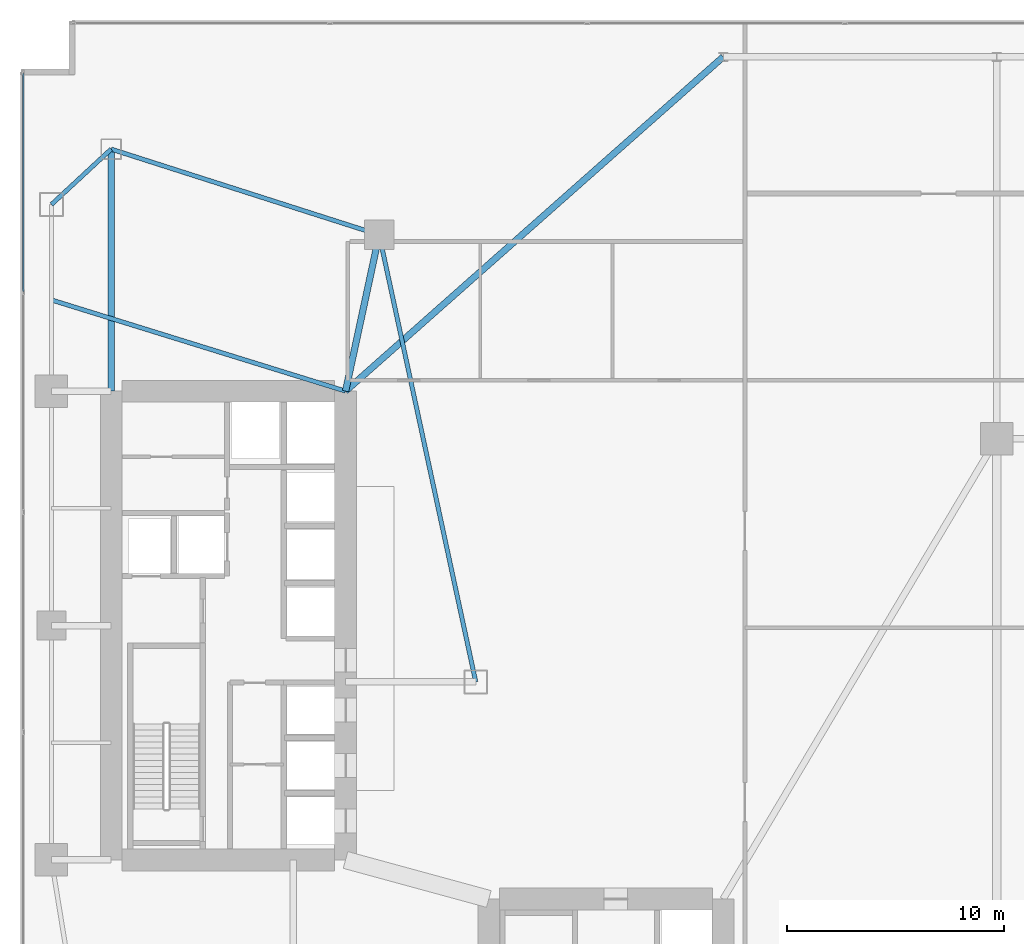
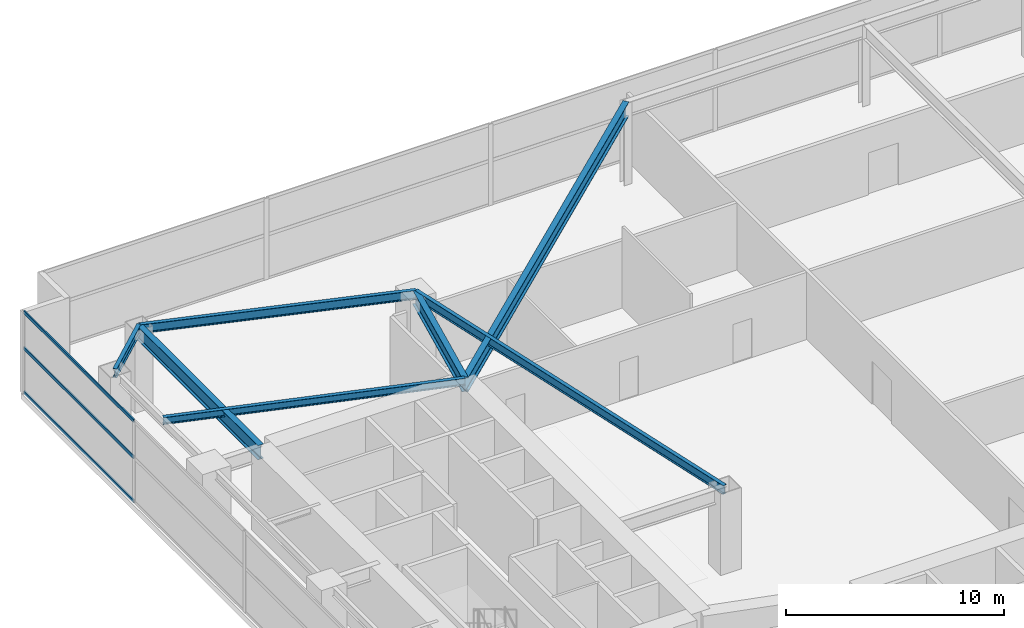
# One storey, part 15 of 30: 7 beams, 3 members, 1 element without a shape of its own.
"""IFC4 building model written with IfcOpenShell, lengths in metres."""

import ifcopenshell
import ifcopenshell.guid

model = None  # the IFC model being written
_history = None  # IfcOwnerHistory: only IFC2X3 demands one
_inside = {}  # id of a spatial element -> (the spatial element, [elements in it])
_under = {}  # id of a project, library or spatial element -> (it, [spatial elements below it])
_declared = {}  # id of a project -> (the project, [libraries it declares])
_typed = {}  # id of a type object -> (the type object, [elements of that type])
_made_of = {}  # id of a material, layer set ... -> (it, [elements and type objects made of it])


def new_model(schema):
    """Start an empty IFC model of exactly this schema.

    Asked for "IFC4X3", IfcOpenShell would pick the latest addendum, in which some entities
    have other attributes; the version numbers below select the first issue.
    IFC2X3 requires an IfcOwnerHistory on every rooted entity: one is made here for all.
    """
    global model, _history
    if schema == "IFC4X3":
        model = ifcopenshell.file(schema_version=(4, 3, 0, 0))
    else:
        model = ifcopenshell.file(schema=schema)
    _inside.clear()
    _under.clear()
    _declared.clear()
    _typed.clear()
    _made_of.clear()
    _history = None
    if model.schema == "IFC2X3":
        org = make("IfcOrganization", Name="unknown")
        user = make(
            "IfcPersonAndOrganization",
            ThePerson=make("IfcPerson", FamilyName="unknown"),
            TheOrganization=org,
        )
        app = make(
            "IfcApplication",
            ApplicationDeveloper=org,
            Version="unknown",
            ApplicationFullName="unknown",
            ApplicationIdentifier="unknown",
        )
        _history = make(
            "IfcOwnerHistory",
            OwningUser=user,
            OwningApplication=app,
            ChangeAction="ADDED",
            CreationDate=0,
        )
    return model


def make(cls, **values):
    """One entity of the class cls with the attributes given. An attribute that is None is left unset."""
    return model.create_entity(
        cls, **{name: value for name, value in values.items() if value is not None}
    )


def rooted(cls, **values):
    """An entity with a GlobalId (a new one), such as an element, a storey or a relation."""
    return make(cls, GlobalId=ifcopenshell.guid.new(), OwnerHistory=_history, **values)


def si_unit(unit_type, name, prefix=None):
    """IfcSIUnit, for example si_unit("LENGTHUNIT", "METRE", prefix="MILLI")."""
    return make("IfcSIUnit", UnitType=unit_type, Prefix=prefix, Name=name)


def assignment(units):
    """IfcUnitAssignment: the units of a project."""
    return None if units is None else make("IfcUnitAssignment", Units=units)


def point(xyz):
    """IfcCartesianPoint."""
    return None if xyz is None else make("IfcCartesianPoint", Coordinates=xyz)


def direction(xyz):
    """IfcDirection."""
    return None if xyz is None else make("IfcDirection", DirectionRatios=xyz)


def frame(location, z_axis=None, x_axis=None):
    """IfcAxis2Placement3D, a coordinate frame: its origin and axes. An axis left out is left unset."""
    return make(
        "IfcAxis2Placement3D",
        Location=point(location),
        Axis=direction(z_axis),
        RefDirection=direction(x_axis),
    )


def frame_2d(location, x_axis=None):
    """IfcAxis2Placement2D, a coordinate frame in the plane: its origin and x axis."""
    return make(
        "IfcAxis2Placement2D", Location=point(location), RefDirection=direction(x_axis)
    )


def origin():
    """The frame at (0, 0, 0) with its axes left unset."""
    return frame((0.0, 0.0, 0.0))


def origin_2d():
    """The frame at (0, 0) in the plane with its x axis left unset."""
    return frame_2d((0.0, 0.0))


def place(relative_to, where):
    """IfcLocalPlacement: puts the frame where relative to a parent placement (None: the world)."""
    return make(
        "IfcLocalPlacement", PlacementRelTo=relative_to, RelativePlacement=where
    )


def context(
    kind, dimensions, precision=None, world=None, true_north=None, identifier=None
):
    """IfcGeometricRepresentationContext, for example the 3D "Model" context."""
    return make(
        "IfcGeometricRepresentationContext",
        ContextIdentifier=identifier,
        ContextType=kind,
        CoordinateSpaceDimension=dimensions,
        Precision=precision,
        WorldCoordinateSystem=world,
        TrueNorth=true_north,
    )


def subcontext(parent, identifier, kind, view, scale=None):
    """IfcGeometricRepresentationSubContext, for example "Body" below "Model"."""
    return make(
        "IfcGeometricRepresentationSubContext",
        ContextIdentifier=identifier,
        ContextType=kind,
        ParentContext=parent,
        TargetScale=scale,
        TargetView=view,
    )


def project(units=None, contexts=None):
    """IfcProject with its units and contexts."""
    return rooted(
        "IfcProject",
        Name="project",
        RepresentationContexts=contexts,
        UnitsInContext=assignment(units),
    )


def spatial(cls, under=None, at=None, **own):
    """A site, building, storey or space (cls), placed at a placement, below another one or the project."""
    s = rooted(cls, ObjectPlacement=at, **own)
    if under is not None:
        _under.setdefault(under.id(), (under, []))[1].append(s)
    return s


def profile(cls, at=None, kind="AREA", **sizes):
    """A parametric profile (cls). Its sizes go by their IFC names, for example OverallWidth=200.0."""
    return make(cls, ProfileType=kind, Position=at, **sizes)


def hollow_rectangle(**sizes):
    """IfcRectangleHollowProfileDef."""
    return profile("IfcRectangleHollowProfileDef", **sizes)


def i_section(**sizes):
    """IfcIShapeProfileDef."""
    return profile("IfcIShapeProfileDef", **sizes)


def extrude(swept, where, along, depth):
    """IfcExtrudedAreaSolid: the profile swept, set in the frame where, extruded along a direction by depth."""
    return make(
        "IfcExtrudedAreaSolid",
        SweptArea=swept,
        Position=where,
        ExtrudedDirection=direction(along),
        Depth=depth,
    )


def shape(context_of_items, identifier, shape_type, items):
    """IfcShapeRepresentation: the items that make up one representation, for example the "Body"."""
    return make(
        "IfcShapeRepresentation",
        ContextOfItems=context_of_items,
        RepresentationIdentifier=identifier,
        RepresentationType=shape_type,
        Items=items,
    )


def material(Name=None, Category=None):
    """IfcMaterial."""
    return make("IfcMaterial", Name=Name, Category=Category)


def layer(
    of_material, thickness, ventilated=None, Name=None, Category=None, Priority=None
):
    """IfcMaterialLayer: one layer of a wall or slab, of a material (None: an air gap)."""
    return make(
        "IfcMaterialLayer",
        Material=of_material,
        LayerThickness=thickness,
        IsVentilated=ventilated,
        Name=Name,
        Category=Category,
        Priority=Priority,
    )


def layer_set(layers, Name=None):
    """IfcMaterialLayerSet."""
    return make("IfcMaterialLayerSet", MaterialLayers=layers, LayerSetName=Name)


def material_profile(
    of_material, cross_section, Name=None, Category=None, Priority=None
):
    """IfcMaterialProfile: a cross section and its material."""
    return make(
        "IfcMaterialProfile",
        Name=Name,
        Material=of_material,
        Profile=cross_section,
        Priority=Priority,
        Category=Category,
    )


def profile_set(profiles, Name=None, composite=None):
    """IfcMaterialProfileSet."""
    return make(
        "IfcMaterialProfileSet",
        Name=Name,
        MaterialProfiles=profiles,
        CompositeProfile=composite,
    )


def made_of(thing, what):
    """Note that an element or type object is made of a material, layer set ...; save() writes the relation."""
    if what is not None:
        _made_of.setdefault(what.id(), (what, []))[1].append(thing)
    return thing


def type_object(cls, material=None, **own):
    """A type object (cls), such as IfcWallType, which elements share."""
    return made_of(rooted(cls, **own), material)


def element(
    cls,
    number,
    at=None,
    inside=None,
    cuts=None,
    type_object=None,
    material=None,
    context=None,
    identifier="Body",
    shape_type=None,
    held_by="IfcProductDefinitionShape",
    body=None,
    shapes=None,
    **own,
):
    """One element of the class cls, such as IfcWall. Its Tag is "e" and its number.

    at: its placement. inside: the storey or other place that contains it. cuts: it is an
    opening in that element (IfcRelVoidsElement). A single representation is given by context,
    identifier, shape_type and body (its items); several are given by shapes. held_by: the class
    of the entity that holds the representations. save() writes the other relations.
    """
    e = rooted(cls, Tag="e%d" % number, ObjectPlacement=at, **own)
    if body is not None:
        shapes = [shape(context, identifier, shape_type, body)]
    if shapes is not None:
        e.Representation = make(held_by, Representations=shapes)
    if inside is not None:
        _inside.setdefault(inside.id(), (inside, []))[1].append(e)
    if cuts is not None:
        rooted(
            "IfcRelVoidsElement", RelatingBuildingElement=cuts, RelatedOpeningElement=e
        )
    if type_object is not None:
        _typed.setdefault(type_object.id(), (type_object, []))[1].append(e)
    return made_of(e, material)


def aggregate(whole, parts):
    """IfcRelAggregates: a whole, such as a stair, and the parts it consists of."""
    return rooted("IfcRelAggregates", RelatingObject=whole, RelatedObjects=parts)


def save(model, path):
    """Write the relations noted so far, then the file.

    IfcRelAggregates (storeys below a building ...), IfcRelContainedInSpatialStructure (elements
    in a storey), IfcRelDefinesByType, IfcRelAssociatesMaterial and IfcRelDeclares: one each for
    every whole, place, type object, material and project.
    """
    for whole, parts in _under.values():
        aggregate(whole, parts)
    for where, things in _inside.values():
        rooted(
            "IfcRelContainedInSpatialStructure",
            RelatedElements=things,
            RelatingStructure=where,
        )
    for kind, things in _typed.values():
        rooted("IfcRelDefinesByType", RelatedObjects=things, RelatingType=kind)
    for what, things in _made_of.values():
        rooted("IfcRelAssociatesMaterial", RelatedObjects=things, RelatingMaterial=what)
    for by, libraries in _declared.values():
        rooted("IfcRelDeclares", RelatingContext=by, RelatedDefinitions=libraries)
    model.write(path)


model = new_model("IFC4")

# Units and contexts
model_context = context("Model", 3, precision=1e-05, world=origin(), true_north=direction((0.0, 1.0)))
body_context = subcontext(model_context, "Body", "Model", "MODEL_VIEW")
ifc_project = project(units=[si_unit("LENGTHUNIT", "METRE"), si_unit("AREAUNIT", "SQUARE_METRE"), si_unit("VOLUMEUNIT", "CUBIC_METRE"), si_unit("PLANEANGLEUNIT", "RADIAN"), si_unit("MASSUNIT", "GRAM", prefix="KILO")], contexts=[model_context])

# Site, building, storey
site_placement = place(None, origin())
site = spatial("IfcSite", under=ifc_project, at=site_placement, CompositionType="ELEMENT")
building_placement = place(site_placement, origin())
building = spatial("IfcBuilding", under=site, at=building_placement, Name="Calvorn Quay Hotel", CompositionType="ELEMENT")
storey_placement = place(building_placement, frame((0.0, 0.0, 17.0)))
storey = spatial("IfcBuildingStorey", under=building, at=storey_placement, Name="L03", CompositionType="ELEMENT", Elevation=17.0)

# Beams
ifc_material_1 = material(Name="Steel Q390GJC", Category="steel")
ifc_material_profile_1 = material_profile(ifc_material_1, i_section(OverallWidth=0.300048828125, OverallDepth=0.800048828125, WebThickness=0.013916015625, FlangeThickness=0.02587890625, FilletRadius=0.02392578125, at=origin_2d()), Name="HN800x300x14x26")
ifc_profile_set_1 = profile_set([ifc_material_profile_1], Name="Steel Q390GJC")
beam_type_1 = type_object("IfcBeamType", Name="BM-GIRD-POD", PredefinedType="BEAM", material=ifc_profile_set_1)
beam_1_placement = place(storey_placement, frame((4.199951171875, 49.550048828125, 4.14990234375), z_axis=(0.0, -1.0, 0.0), x_axis=(1.0, 0.0, 0.0)))
element("IfcBeam", 1, at=beam_1_placement, inside=storey, type_object=beam_type_1, Name="Beam BG-L03-W5", PredefinedType="BEAM", context=body_context, shape_type="SweptSolid", body=[
    extrude(i_section(OverallWidth=0.300048828125, OverallDepth=0.800048828125, WebThickness=0.013916015625, FlangeThickness=0.02587890625, FilletRadius=0.02392578125, at=origin_2d()), origin(), (0.0, 0.0, 1.0), 11.150146484375),
])
beam_2_placement = place(storey_placement, frame((16.550048828125, 45.60009765625, 4.14990234375), z_axis=(-0.210457140491, -0.97760308511, 0.0), x_axis=(0.97760308511, -0.210457140491, 0.0)))
element("IfcBeam", 2, at=beam_2_placement, inside=storey, type_object=beam_type_1, Name="Beam BG-L03-W6", PredefinedType="BEAM", context=body_context, shape_type="SweptSolid", body=[
    extrude(i_section(OverallWidth=0.300048828125, OverallDepth=0.800048828125, WebThickness=0.013916015625, FlangeThickness=0.02587890625, FilletRadius=0.02392578125, at=origin_2d()), origin(), (0.0, 0.0, 1.0), 7.365234375),
])
beam_3_placement = place(storey_placement, frame((15.0, 38.39990234375, 4.14990234375), z_axis=(0.748827276571, 0.662765199647, 0.0), x_axis=(-0.662765199647, 0.748827276571, 0.0)))
element("IfcBeam", 3, at=beam_3_placement, inside=storey, type_object=beam_type_1, Name="Beam BG-L03-PN4", PredefinedType="BEAM", context=body_context, shape_type="SweptSolid", body=[
    extrude(i_section(OverallWidth=0.300048828125, OverallDepth=0.800048828125, WebThickness=0.013916015625, FlangeThickness=0.02587890625, FilletRadius=0.02392578125, at=origin_2d()), origin(), (0.0, 0.0, 1.0), 23.236083984375),
])
ifc_material_2 = material(Name="Steel Q355B", Category="steel")
ifc_material_profile_2 = material_profile(ifc_material_2, i_section(OverallWidth=0.199951171875, OverallDepth=0.39990234375, WebThickness=0.008056640625, FlangeThickness=0.012939453125, FilletRadius=0.01611328125, at=origin_2d()), Name="HN400x200x8x13")
ifc_profile_set_2 = profile_set([ifc_material_profile_2], Name="Steel Q355B")
beam_type_2 = type_object("IfcBeamType", Name="BM-JOIST-TYP", PredefinedType="JOIST", material=ifc_profile_set_2)
beam_4_placement = place(storey_placement, frame((1.449951171875, 42.60009765625, 4.35009765625), z_axis=(0.955163702122, -0.296078202759, 0.0), x_axis=(0.296078202759, 0.955163702122, 0.0)))
element("IfcBeam", 4, at=beam_4_placement, inside=storey, type_object=beam_type_2, Name="Beam BJ-L03-W2", PredefinedType="JOIST", context=body_context, shape_type="SweptSolid", body=[
    extrude(i_section(OverallWidth=0.199951171875, OverallDepth=0.39990234375, WebThickness=0.008056640625, FlangeThickness=0.012939453125, FilletRadius=0.01611328125, at=origin_2d()), origin(), (0.0, 0.0, 1.0), 14.18603515625),
])
ifc_material_3 = material(Name="Steel Q355B", Category="steel")
ifc_material_profile_3 = material_profile(ifc_material_3, i_section(OverallWidth=0.199951171875, OverallDepth=0.5, WebThickness=0.010009765625, FlangeThickness=0.01611328125, FilletRadius=0.01611328125, at=origin_2d()), Name="HN500x200x10x16")
ifc_profile_set_3 = profile_set([ifc_material_profile_3], Name="Steel Q355B")
beam_type_3 = type_object("IfcBeamType", Name="BM-SPANDREL-Z1", PredefinedType="SPANDREL", material=ifc_profile_set_3)
beam_5_placement = place(storey_placement, frame((1.449951171875, 47.0, 4.300048828125), z_axis=(0.733261665538, 0.679946563969, 0.0), x_axis=(-0.679946563969, 0.733261665538, 0.0)))
element("IfcBeam", 5, at=beam_5_placement, inside=storey, type_object=beam_type_3, Name="Beam BSP-L03-W5", PredefinedType="SPANDREL", context=body_context, shape_type="SweptSolid", body=[
    extrude(i_section(OverallWidth=0.199951171875, OverallDepth=0.5, WebThickness=0.010009765625, FlangeThickness=0.01611328125, FilletRadius=0.01611328125, at=origin_2d()), origin(), (0.0, 0.0, 1.0), 3.75048828125),
])
beam_6_placement = place(storey_placement, frame((4.199951171875, 49.550048828125, 4.300048828125), z_axis=(0.952470702374, -0.304630203885, 0.0), x_axis=(0.304630203885, 0.952470702374, 0.0)))
element("IfcBeam", 6, at=beam_6_placement, inside=storey, type_object=beam_type_3, Name="Beam BSP-L03-W6", PredefinedType="SPANDREL", context=body_context, shape_type="SweptSolid", body=[
    extrude(i_section(OverallWidth=0.199951171875, OverallDepth=0.5, WebThickness=0.010009765625, FlangeThickness=0.01611328125, FilletRadius=0.01611328125, at=origin_2d()), origin(), (0.0, 0.0, 1.0), 12.96630859375),
])
beam_7_placement = place(storey_placement, frame((16.550048828125, 45.60009765625, 4.300048828125), z_axis=(0.211145848376, -0.977454567084, 0.0), x_axis=(0.977454567084, 0.211145848376, 0.0)))
element("IfcBeam", 7, at=beam_7_placement, inside=storey, type_object=beam_type_3, Name="Beam BSP-L03-W7", PredefinedType="SPANDREL", context=body_context, shape_type="SweptSolid", body=[
    extrude(i_section(OverallWidth=0.199951171875, OverallDepth=0.5, WebThickness=0.010009765625, FlangeThickness=0.01611328125, FilletRadius=0.01611328125, at=origin_2d()), origin(), (0.0, 0.0, 1.0), 21.0751953125),
])

# Curtain wall, members
ifc_material_4 = material(Name="Pale Anodised Aluminium and Low-E Glass", Category="aluminium")
ifc_layer = layer(ifc_material_4, 0.219970703125)
ifc_layer_set = layer_set([ifc_layer], Name="CW-SYS-POD")
curtain_wall_type = type_object("IfcCurtainWallType", Name="CW-SYS-POD", PredefinedType="NOTDEFINED", material=ifc_layer_set)
curtain_wall_placement = place(storey_placement, origin())
curtain_wall = element("IfcCurtainWall", 8, at=curtain_wall_placement, inside=storey, type_object=curtain_wall_type, Name="Podium Curtain Wall L03-W1", PredefinedType="NOTDEFINED")
ifc_material_5 = material(Name="Pale Anodised Aluminium 6063-T6", Category="aluminium")
ifc_material_profile_4 = material_profile(ifc_material_5, hollow_rectangle(XDim=0.070068359375, YDim=0.179931640625, WallThickness=0.00390625, at=origin_2d()), Name="ALU-T180x70x4")
ifc_profile_set_4 = profile_set([ifc_material_profile_4], Name="Pale Anodised Aluminium 6063-T6")
member_type = type_object("IfcMemberType", Name="CW-SYS-POD-TRN", PredefinedType="USERDEFINED", material=ifc_profile_set_4)
member_1_placement = place(storey_placement, frame((0.14990234375, 42.989990234375, 0.030029296875), z_axis=(0.0, 1.0, 0.0), x_axis=(-1.0, 0.0, 0.0)))
member_1 = element("IfcMember", 9, at=member_1_placement, type_object=member_type, Name="CW-L03-W1 transom 5.1", ObjectType="TRANSOM", PredefinedType="USERDEFINED", context=body_context, shape_type="SweptSolid", body=[
    extrude(hollow_rectangle(XDim=0.070068359375, YDim=0.179931640625, WallThickness=0.00390625, at=origin_2d()), origin(), (0.0, 0.0, 1.0), 10.050048828125),
])
member_2_placement = place(storey_placement, frame((0.14990234375, 42.989990234375, 2.5), z_axis=(0.0, 1.0, 0.0), x_axis=(-1.0, 0.0, 0.0)))
member_2 = element("IfcMember", 10, at=member_2_placement, type_object=member_type, Name="CW-L03-W1 transom 5.2", ObjectType="TRANSOM", PredefinedType="USERDEFINED", context=body_context, shape_type="SweptSolid", body=[
    extrude(hollow_rectangle(XDim=0.070068359375, YDim=0.179931640625, WallThickness=0.00390625, at=origin_2d()), origin(), (0.0, 0.0, 1.0), 10.050048828125),
])
member_3_placement = place(storey_placement, frame((0.14990234375, 42.989990234375, 4.52001953125), z_axis=(0.0, 1.0, 0.0), x_axis=(-1.0, 0.0, 0.0)))
member_3 = element("IfcMember", 11, at=member_3_placement, type_object=member_type, Name="CW-L03-W1 transom 5.3", ObjectType="TRANSOM", PredefinedType="USERDEFINED", context=body_context, shape_type="SweptSolid", body=[
    extrude(hollow_rectangle(XDim=0.070068359375, YDim=0.179931640625, WallThickness=0.00390625, at=origin_2d()), origin(), (0.0, 0.0, 1.0), 10.050048828125),
])
aggregate(curtain_wall, [member_1, member_2, member_3])

save(model, "model.ifc")
